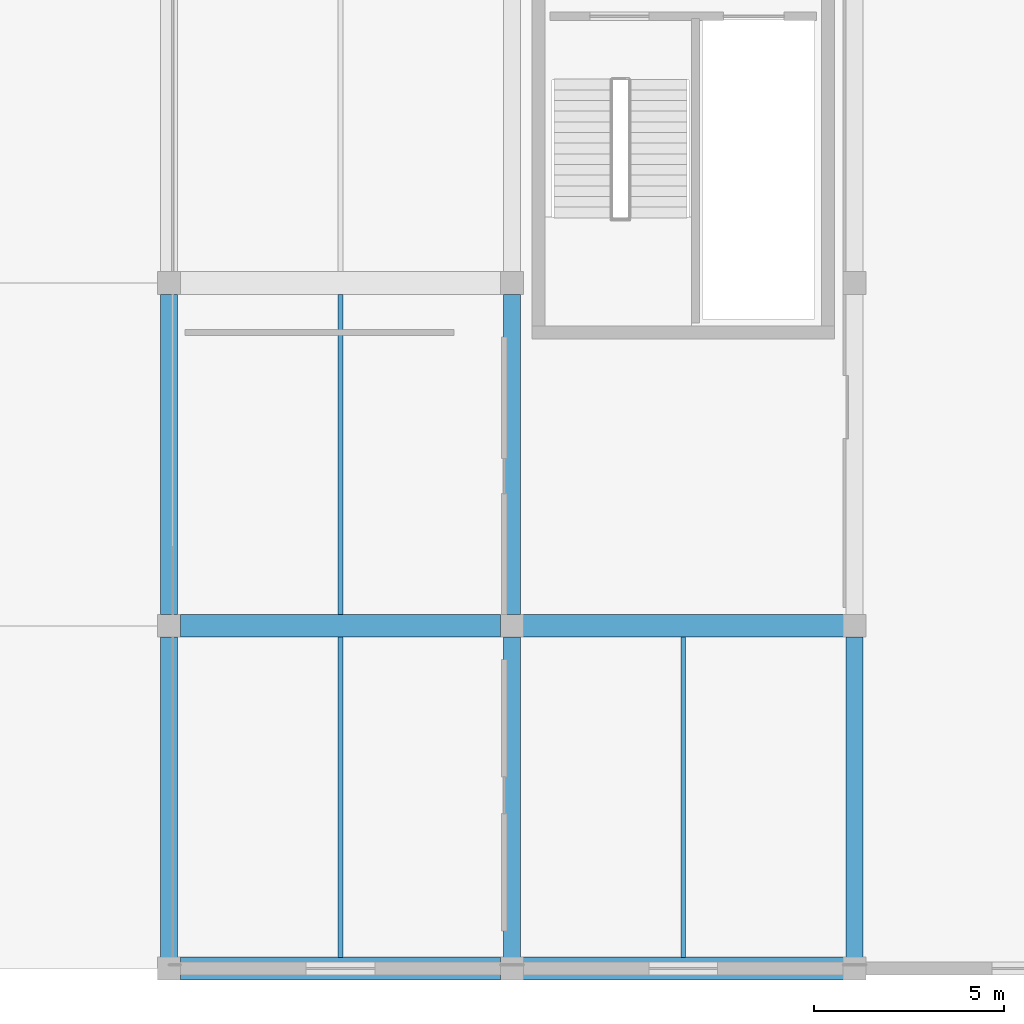
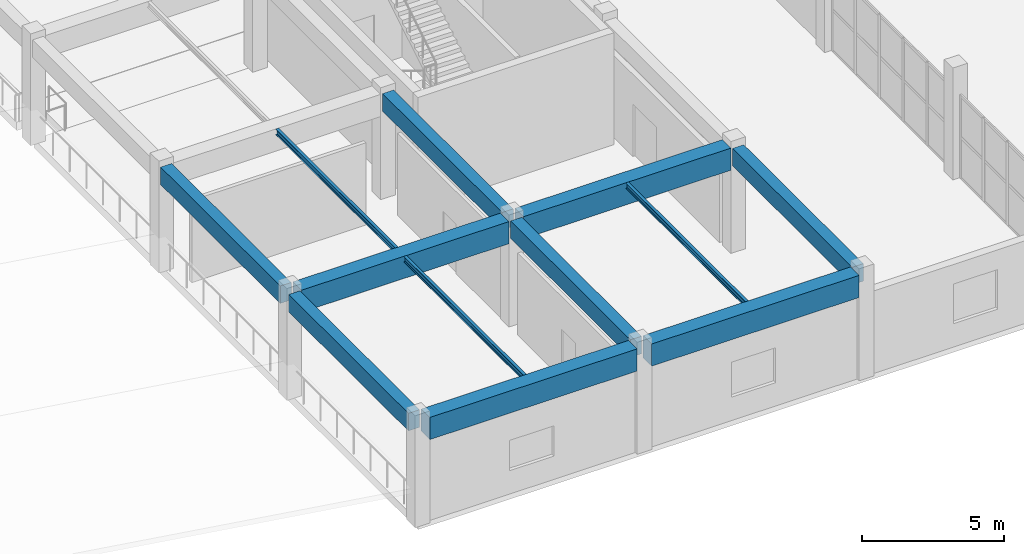
# One storey, part 22 of 89: 12 beams.
"""IFC4 building model written with IfcOpenShell, lengths in metres."""

from ifc_helpers import new_model, si_unit, direction, frame, origin, origin_2d, place, context, subcontext, project, spatial, rectangle, i_section, extrude, material, material_profile, profile_set, type_object, element, save


model = new_model("IFC4")

# Units and contexts
model_context = context("Model", 3, precision=1e-05, world=origin(), true_north=direction((0.0, 1.0)))
body_context = subcontext(model_context, "Body", "Model", "MODEL_VIEW")
ifc_project = project(units=[si_unit("LENGTHUNIT", "METRE"), si_unit("AREAUNIT", "SQUARE_METRE"), si_unit("VOLUMEUNIT", "CUBIC_METRE"), si_unit("PLANEANGLEUNIT", "RADIAN"), si_unit("MASSUNIT", "GRAM", prefix="KILO")], contexts=[model_context])

# Site, building, storey
site_placement = place(None, origin())
site = spatial("IfcSite", under=ifc_project, at=site_placement, CompositionType="ELEMENT")
building_placement = place(site_placement, origin())
building = spatial("IfcBuilding", under=site, at=building_placement, Name="Dornveld Trade and Exhibition Forum", CompositionType="ELEMENT")
storey_placement = place(building_placement, frame((0.0, 0.0, 12.0)))
storey = spatial("IfcBuildingStorey", under=building, at=storey_placement, Name="L02", CompositionType="ELEMENT", Elevation=12.0)

# Beams
ifc_material_1 = material(Name="Steel S355J2", Category="steel")
ifc_material_profile_1 = material_profile(ifc_material_1, i_section(OverallWidth=0.1201171875, OverallDepth=0.239990234375, WebThickness=0.006103515625, FlangeThickness=0.009765625, FilletRadius=0.014892578125, at=origin_2d()), Name="IPE 240")
ifc_profile_set_1 = profile_set([ifc_material_profile_1], Name="Steel S355J2")
beam_type_1 = type_object("IfcBeamType", Name="BM-JOIST-240", PredefinedType="JOIST", material=ifc_profile_set_1)
for number, where, z_axis, x_axis, name in (
    (1, (202.5, 0.297119140625, 4.39990234375), (0.0, 1.0, 0.0), (-1.0, 0.0, 0.0), "L02 secondary joist 1576"),
    (2, (202.5, 9.297119140625, 4.39990234375), (0.0, 1.0, 0.0), (-1.0, 0.0, 0.0), "L02 secondary joist 1577"),
    (3, (211.5, 0.297119140625, 4.39990234375), (0.0, 1.0, 0.0), (-1.0, 0.0, 0.0), "L02 secondary joist 1582"),
):
    element("IfcBeam", number, at=place(storey_placement, frame(where, z_axis=z_axis, x_axis=x_axis)), inside=storey, type_object=beam_type_1, Name=name, PredefinedType="JOIST", context=body_context, shape_type="SweptSolid", body=[
        extrude(i_section(OverallWidth=0.1201171875, OverallDepth=0.239990234375, WebThickness=0.006103515625, FlangeThickness=0.009765625, FilletRadius=0.014892578125, at=origin_2d()), origin(), (0.0, 0.0, 1.0), 8.40576171875),
    ])
ifc_material_2 = material(Name="Precast concrete C50/60", Category="concrete")
ifc_material_profile_2 = material_profile(ifc_material_2, rectangle(XDim=0.449951171875, YDim=0.75, at=origin_2d()), Name="PC-BM 450x750")
ifc_profile_set_2 = profile_set([ifc_material_profile_2], Name="Precast concrete C50/60")
beam_type_2 = type_object("IfcBeamType", Name="BM-PC-450x750", PredefinedType="BEAM", material=ifc_profile_set_2)
for number, where, z_axis, x_axis, name in (
    (4, (198.0, 0.2958984375, 4.14501953125), (0.0, 1.0, 0.0), (-1.0, 0.0, 0.0), "L02 Y-girder 1558"),
    (5, (198.0, 9.2958984375, 4.14501953125), (0.0, 1.0, 0.0), (-1.0, 0.0, 0.0), "L02 Y-girder 1559"),
    (6, (207.0, 0.2958984375, 4.14501953125), (0.0, 1.0, 0.0), (-1.0, 0.0, 0.0), "L02 Y-girder 1564"),
    (7, (207.0, 9.2958984375, 4.14501953125), (0.0, 1.0, 0.0), (-1.0, 0.0, 0.0), "L02 Y-girder 1565"),
    (8, (216.0, 0.2958984375, 4.10302734375), (0.0, 1.0, 0.0), (-1.0, 0.0, 0.0), "L02 Y-girder 1570"),
):
    element("IfcBeam", number, at=place(storey_placement, frame(where, z_axis=z_axis, x_axis=x_axis)), inside=storey, type_object=beam_type_2, Name=name, PredefinedType="BEAM", context=body_context, shape_type="SweptSolid", body=[
        extrude(rectangle(XDim=0.449951171875, YDim=0.75, at=origin_2d()), origin(), (0.0, 0.0, 1.0), 8.408203125),
    ])
ifc_material_3 = material(Name="Precast concrete C50/60", Category="concrete")
ifc_material_profile_3 = material_profile(ifc_material_3, rectangle(XDim=0.60009765625, YDim=0.949951171875, at=origin_2d()), Name="PC-GIR 600x950")
ifc_profile_set_3 = profile_set([ifc_material_profile_3], Name="Precast concrete C50/60")
beam_type_3 = type_object("IfcBeamType", Name="BM-PC-600x950", PredefinedType="T_BEAM", material=ifc_profile_set_3)
for number, where, z_axis, x_axis, name in (
    (9, (198.2958984375, 0.0, 4.044921875), (1.0, 0.0, 0.0), (0.0, 1.0, 0.0), "L02 X-girder 1546"),
    (10, (207.2958984375, 0.0, 4.044921875), (1.0, 0.0, 0.0), (0.0, 1.0, 0.0), "L02 X-girder 1547"),
    (11, (198.2958984375, 9.0, 4.044921875), (1.0, 0.0, 0.0), (0.0, 1.0, 0.0), "L02 X-girder 1548"),
    (12, (207.2958984375, 9.0, 4.044921875), (1.0, 0.0, 0.0), (0.0, 1.0, 0.0), "L02 X-girder 1549"),
):
    element("IfcBeam", number, at=place(storey_placement, frame(where, z_axis=z_axis, x_axis=x_axis)), inside=storey, type_object=beam_type_3, Name=name, PredefinedType="T_BEAM", context=body_context, shape_type="SweptSolid", body=[
        extrude(rectangle(XDim=0.60009765625, YDim=0.949951171875, at=origin_2d()), origin(), (0.0, 0.0, 1.0), 8.408203125),
    ])

save(model, "model.ifc")
